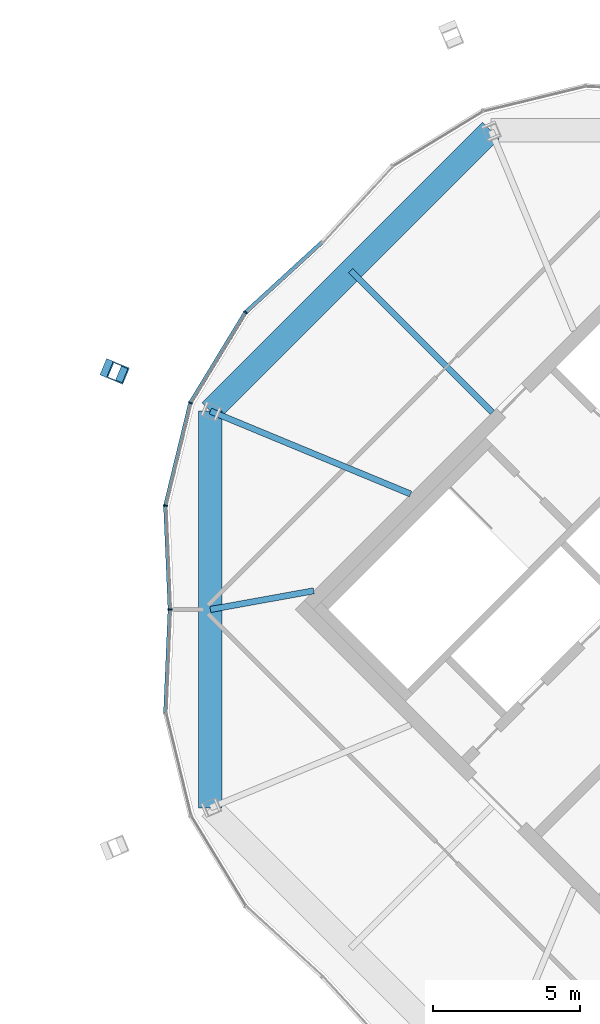
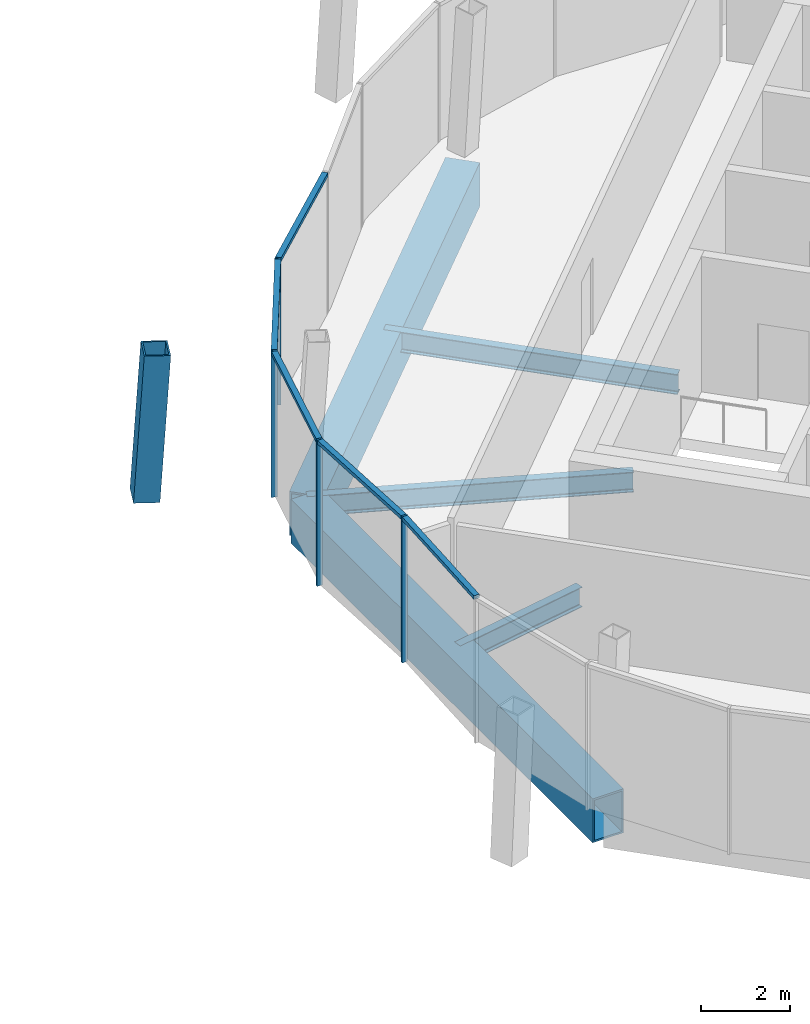
# One storey, part 12 of 23: 10 members, 5 beams, 2 elements without a shape of their own.
"""IFC4 building model written with IfcOpenShell, lengths in metres."""

from ifc_helpers import new_model, si_unit, direction, frame, origin, origin_2d, place, context, subcontext, project, spatial, rectangle, hollow_rectangle, i_section, extrude, material, material_profile, profile_set, type_object, element, aggregate, save


model = new_model("IFC4")

# Units and contexts
model_context = context("Model", 3, precision=1e-05, world=origin(), true_north=direction((0.0, 1.0)))
body_context = subcontext(model_context, "Body", "Model", "MODEL_VIEW")
ifc_project = project(units=[si_unit("LENGTHUNIT", "METRE"), si_unit("AREAUNIT", "SQUARE_METRE"), si_unit("VOLUMEUNIT", "CUBIC_METRE"), si_unit("PLANEANGLEUNIT", "RADIAN"), si_unit("MASSUNIT", "GRAM", prefix="KILO")], contexts=[model_context])

# Site, building, storey
site_placement = place(None, origin())
site = spatial("IfcSite", under=ifc_project, at=site_placement, CompositionType="ELEMENT")
building_placement = place(site_placement, origin())
building = spatial("IfcBuilding", under=site, at=building_placement, Name="Ogive Gate Towers", CompositionType="ELEMENT")
storey_placement = place(building_placement, frame((0.0, 0.0, 302.0)))
storey = spatial("IfcBuildingStorey", under=building, at=storey_placement, Name="L71", CompositionType="ELEMENT", Elevation=302.0)

# Curtain wall, members
ifc_material_1 = material(Name="Pale metal aluminium", Category="aluminium")
curtain_wall_type = type_object("IfcCurtainWallType", Name="Crown lean wall", PredefinedType="NOTDEFINED", material=ifc_material_1)
curtain_wall_1_placement = place(storey_placement, origin())
curtain_wall_1 = element("IfcCurtainWall", 1, at=curtain_wall_1_placement, inside=storey, type_object=curtain_wall_type, Name="CW5 T2 ECW04", PredefinedType="NOTDEFINED")
ifc_material_profile_1 = material_profile(ifc_material_1, rectangle(XDim=0.139892578125, YDim=0.050048828125, at=origin_2d()), Name="50 x 140 aluminium box")
ifc_profile_set_1 = profile_set([ifc_material_profile_1], Name="Pale metal aluminium")
member_type_1 = type_object("IfcMemberType", Name="Crown lean wall mullion 50 x 140", PredefinedType="MULLION", material=ifc_profile_set_1)
member_1_placement = place(storey_placement, frame((18.304931640625, -0.001220703125, -0.300048828125), z_axis=(0.0, 0.0, 1.0), x_axis=(0.999060363459, 0.043340398775, 0.0)))
member_1 = element("IfcMember", 2, at=member_1_placement, type_object=member_type_1, Name="CW5 mullion", PredefinedType="MULLION", context=body_context, shape_type="SweptSolid", body=[
    extrude(rectangle(XDim=0.139892578125, YDim=0.050048828125, at=origin_2d()), origin(), (0.0, 0.0, 1.0), 4.0),
])
member_2_placement = place(storey_placement, frame((18.151611328125, 3.537109375, -0.300048828125), z_axis=(0.0, 0.0, 1.0), x_axis=(0.995234210128, -0.097513419542, 0.0)))
member_2 = element("IfcMember", 3, at=member_2_placement, type_object=member_type_1, Name="CW5 mullion", PredefinedType="MULLION", context=body_context, shape_type="SweptSolid", body=[
    extrude(rectangle(XDim=0.139892578125, YDim=0.050048828125, at=origin_2d()), origin(), (0.0, 0.0, 1.0), 4.0),
])
member_3_placement = place(storey_placement, frame((19.004150390625, 7.039794921875, -0.300048828125), z_axis=(0.0, 0.0, 1.0), x_axis=(0.923879532511, -0.382683432365, 0.0)))
member_3 = element("IfcMember", 4, at=member_3_placement, type_object=member_type_1, Name="CW5 mullion", PredefinedType="MULLION", context=body_context, shape_type="SweptSolid", body=[
    extrude(rectangle(XDim=0.139892578125, YDim=0.050048828125, at=origin_2d()), origin(), (0.0, 0.0, 1.0), 4.0),
])
member_4_placement = place(storey_placement, frame((20.87841796875, 10.119384765625, -0.300048828125), z_axis=(0.0, 0.0, 1.0), x_axis=(0.772689259065, -0.634784458636, 0.0)))
member_4 = element("IfcMember", 5, at=member_4_placement, type_object=member_type_1, Name="CW5 mullion", PredefinedType="MULLION", context=body_context, shape_type="SweptSolid", body=[
    extrude(rectangle(XDim=0.139892578125, YDim=0.050048828125, at=origin_2d()), origin(), (0.0, 0.0, 1.0), 4.0),
])
ifc_material_profile_2 = material_profile(ifc_material_1, rectangle(XDim=0.139892578125, YDim=0.10009765625, at=origin_2d()), Name="100 x 140 aluminium box")
ifc_profile_set_2 = profile_set([ifc_material_profile_2], Name="Pale metal aluminium")
member_type_2 = type_object("IfcMemberType", Name="Crown lean wall transom 100 x 140", PredefinedType="USERDEFINED", material=ifc_profile_set_2)
member_5_placement = place(storey_placement, frame((18.3037109375, 0.023681640625, 3.64990234375), z_axis=(-0.043333931654, 0.999060643989, 0.0), x_axis=(-0.999060643989, -0.043333931654, 0.0)))
member_5 = element("IfcMember", 6, at=member_5_placement, type_object=member_type_2, Name="CW5 transom", ObjectType="TRANSOM", PredefinedType="USERDEFINED", context=body_context, shape_type="SweptSolid", body=[
    extrude(rectangle(XDim=0.139892578125, YDim=0.10009765625, at=origin_2d()), origin(), (0.0, 0.0, 1.0), 3.4873046875),
])
member_6_placement = place(storey_placement, frame((18.158447265625, 3.565673828125, 3.64990234375), z_axis=(0.236358606487, 0.971665893782, 0.0), x_axis=(-0.971665893782, 0.236358606487, 0.0)))
member_6 = element("IfcMember", 7, at=member_6_placement, type_object=member_type_2, Name="CW5 transom", ObjectType="TRANSOM", PredefinedType="USERDEFINED", context=body_context, shape_type="SweptSolid", body=[
    extrude(rectangle(XDim=0.139892578125, YDim=0.10009765625, at=origin_2d()), origin(), (0.0, 0.0, 1.0), 3.546142578125),
])
member_7_placement = place(storey_placement, frame((19.019287109375, 7.0654296875, 3.64990234375), z_axis=(0.51986176427, 0.854250400088, 0.0), x_axis=(-0.854250400088, 0.51986176427, 0.0)))
member_7 = element("IfcMember", 8, at=member_7_placement, type_object=member_type_2, Name="CW5 transom", ObjectType="TRANSOM", PredefinedType="USERDEFINED", context=body_context, shape_type="SweptSolid", body=[
    extrude(rectangle(XDim=0.139892578125, YDim=0.10009765625, at=origin_2d()), origin(), (0.0, 0.0, 1.0), 3.546142578125),
])
member_8_placement = place(storey_placement, frame((20.899658203125, 10.139404296875, 3.64990234375), z_axis=(0.73706986576, 0.675816552763, 0.0), x_axis=(-0.675816552763, 0.73706986576, 0.0)))
member_8 = element("IfcMember", 9, at=member_8_placement, type_object=member_type_2, Name="CW5 transom", ObjectType="TRANSOM", PredefinedType="USERDEFINED", context=body_context, shape_type="SweptSolid", body=[
    extrude(rectangle(XDim=0.139892578125, YDim=0.10009765625, at=origin_2d()), origin(), (0.0, 0.0, 1.0), 3.487548828125),
])
aggregate(curtain_wall_1, [member_1, member_2, member_5, member_3, member_6, member_4, member_7, member_8])

# Curtain wall, member
curtain_wall_2_placement = place(storey_placement, origin())
curtain_wall_2 = element("IfcCurtainWall", 10, at=curtain_wall_2_placement, inside=storey, type_object=curtain_wall_type, Name="CW5 T2 ECW05", PredefinedType="NOTDEFINED")
member_9_placement = place(storey_placement, frame((18.152587890625, -3.5078125, 3.64990234375), z_axis=(0.043333931654, 0.999060643989, 0.0), x_axis=(-0.999060643989, 0.043333931654, 0.0)))
member_9 = element("IfcMember", 11, at=member_9_placement, type_object=member_type_2, Name="CW5 transom", ObjectType="TRANSOM", PredefinedType="USERDEFINED", context=body_context, shape_type="SweptSolid", body=[
    extrude(rectangle(XDim=0.139892578125, YDim=0.10009765625, at=origin_2d()), origin(), (0.0, 0.0, 1.0), 3.4873046875),
])
aggregate(curtain_wall_2, [member_9])

# Member
ifc_material_2 = material(Name="Steel SM460", Category="steel")
ifc_material_profile_3 = material_profile(ifc_material_2, hollow_rectangle(XDim=0.60009765625, YDim=0.60009765625, WallThickness=0.0400390625, at=origin_2d()), Name="BX 600x600x40")
ifc_profile_set_3 = profile_set([ifc_material_profile_3], Name="Steel SM460")
member_type_3 = type_object("IfcMemberType", Name="Crown rib BX 600x600x40", PredefinedType="MEMBER", material=ifc_profile_set_3)
member_10_placement = place(storey_placement, frame((16.306884765625, 8.1572265625, 0.0), z_axis=(0.056413057581, -0.02339375174, 0.998133407573), x_axis=(0.383056544411, 0.923724896159, 0.0)))
element("IfcMember", 12, at=member_10_placement, inside=storey, type_object=member_type_3, Name="T2/L71/STR003", PredefinedType="MEMBER", context=body_context, shape_type="SweptSolid", body=[
    extrude(hollow_rectangle(XDim=0.60009765625, YDim=0.60009765625, WallThickness=0.0400390625, at=origin_2d()), origin(), (0.0, 0.0, 1.0), 4.007568359375),
])

# Beams
ifc_material_profile_4 = material_profile(ifc_material_2, hollow_rectangle(XDim=0.800048828125, YDim=1.199951171875, WallThickness=0.050048828125, at=origin_2d()), Name="BX 1200x800x50")
ifc_profile_set_4 = profile_set([ifc_material_profile_4], Name="Steel SM460")
beam_type_1 = type_object("IfcBeamType", Name="Edge girder BX 1200x800x50", PredefinedType="BEAM", material=ifc_profile_set_4)
beam_1_placement = place(storey_placement, frame((29.239990234375, 16.3203125, -0.89990234375), z_axis=(-0.707106781187, -0.707106781187, 0.0), x_axis=(0.707106781187, -0.707106781187, 0.0)))
element("IfcBeam", 13, at=beam_1_placement, inside=storey, type_object=beam_type_1, Name="T2/L71/SBM023", PredefinedType="BEAM", context=body_context, shape_type="SweptSolid", body=[
    extrude(hollow_rectangle(XDim=0.800048828125, YDim=1.199951171875, WallThickness=0.050048828125, at=origin_2d()), origin(), (0.0, 0.0, 1.0), 13.520263671875),
])
beam_2_placement = place(storey_placement, frame((19.6796875, 6.760009765625, -0.89990234375), z_axis=(0.0, -1.0, 0.0), x_axis=(1.0, 0.0, 0.0)))
element("IfcBeam", 14, at=beam_2_placement, inside=storey, type_object=beam_type_1, Name="T2/L71/SBM024", PredefinedType="BEAM", context=body_context, shape_type="SweptSolid", body=[
    extrude(hollow_rectangle(XDim=0.800048828125, YDim=1.199951171875, WallThickness=0.050048828125, at=origin_2d()), origin(), (0.0, 0.0, 1.0), 13.52001953125),
])
ifc_material_3 = material(Name="Steel SM355", Category="steel")
ifc_material_profile_5 = material_profile(ifc_material_3, i_section(OverallWidth=0.2099609375, OverallDepth=0.550048828125, WebThickness=0.010986328125, FlangeThickness=0.01708984375, FilletRadius=0.02392578125, at=origin_2d()), Name="IPE 550")
ifc_profile_set_5 = profile_set([ifc_material_profile_5], Name="Steel SM355")
beam_type_2 = type_object("IfcBeamType", Name="Radial floor beam IPE 550", PredefinedType="BEAM", material=ifc_profile_set_5)
beam_3_placement = place(storey_placement, frame((29.282470703125, 6.717529296875, -0.574951171875), z_axis=(-0.707106781187, 0.707106781187, 0.0), x_axis=(-0.707106781187, -0.707106781187, 0.0)))
element("IfcBeam", 15, at=beam_3_placement, inside=storey, type_object=beam_type_2, Name="T2/L71/SBM014", PredefinedType="BEAM", context=body_context, shape_type="SweptSolid", body=[
    extrude(i_section(OverallWidth=0.2099609375, OverallDepth=0.550048828125, WebThickness=0.010986328125, FlangeThickness=0.01708984375, FilletRadius=0.02392578125, at=origin_2d()), origin(), (0.0, 0.0, 1.0), 6.8203125),
])
beam_4_placement = place(storey_placement, frame((26.5, 3.93505859375, -0.574951171875), z_axis=(-0.923885028825, 0.38267016282, 0.0), x_axis=(-0.38267016282, -0.923885028825, 0.0)))
element("IfcBeam", 16, at=beam_4_placement, inside=storey, type_object=beam_type_2, Name="T2/L71/SBM015", PredefinedType="BEAM", context=body_context, shape_type="SweptSolid", body=[
    extrude(i_section(OverallWidth=0.2099609375, OverallDepth=0.550048828125, WebThickness=0.010986328125, FlangeThickness=0.01708984375, FilletRadius=0.02392578125, at=origin_2d()), origin(), (0.0, 0.0, 1.0), 7.38232421875),
])
beam_5_placement = place(storey_placement, frame((23.201416015625, 0.636474609375, -0.574951171875), z_axis=(-0.984058191972, -0.177846773412, 0.0), x_axis=(0.177846773412, -0.984058191972, 0.0)))
element("IfcBeam", 17, at=beam_5_placement, inside=storey, type_object=beam_type_2, Name="T2/L71/SBM016", PredefinedType="BEAM", context=body_context, shape_type="SweptSolid", body=[
    extrude(i_section(OverallWidth=0.2099609375, OverallDepth=0.550048828125, WebThickness=0.010986328125, FlangeThickness=0.01708984375, FilletRadius=0.02392578125, at=origin_2d()), origin(), (0.0, 0.0, 1.0), 3.578857421875),
])

save(model, "model.ifc")
